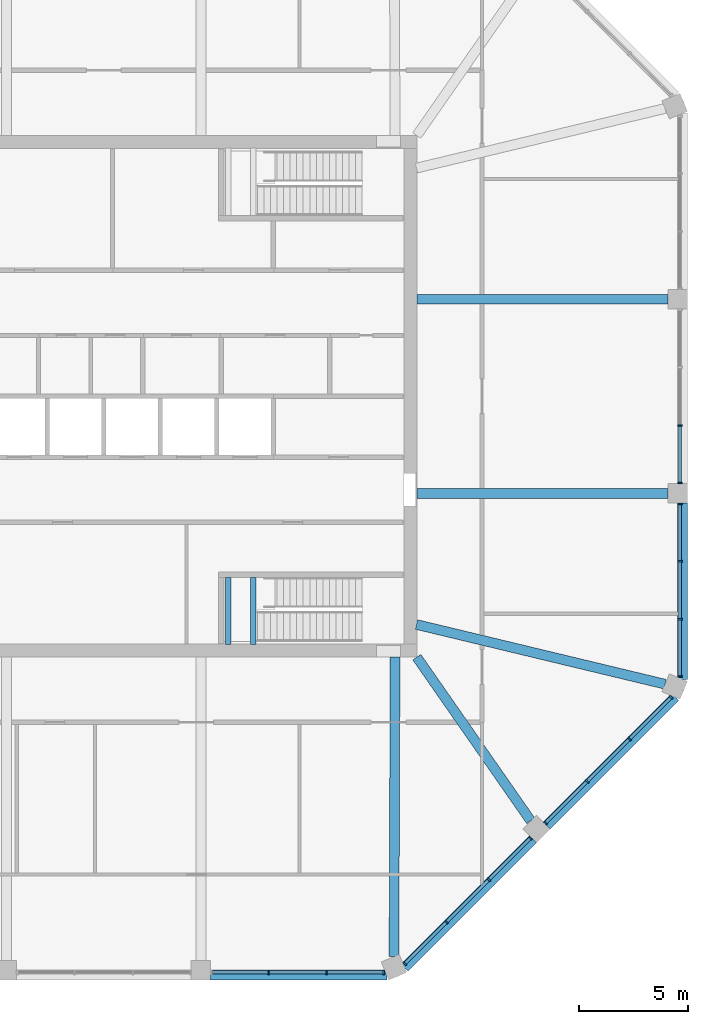
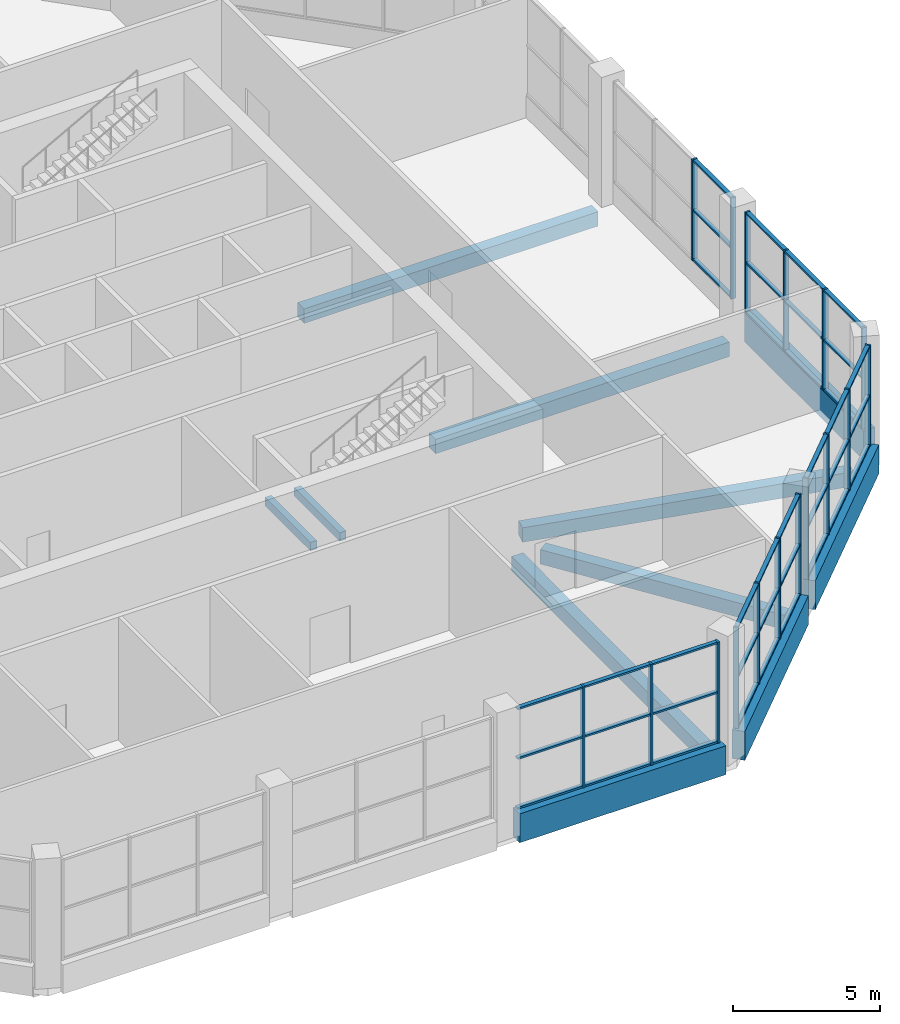
# One storey, part 4 of 15: 56 members, 11 beams, 5 elements without a shape of their own.
"""IFC4 building model written with IfcOpenShell, lengths in metres."""

from ifc_helpers import new_model, si_unit, direction, frame, origin, origin_2d, place, context, subcontext, project, spatial, rectangle, extrude, material, material_profile, profile_set, type_object, element, aggregate, save


model = new_model("IFC4")

# Units and contexts
model_context = context("Model", 3, precision=1e-05, world=origin(), true_north=direction((0.0, 1.0)))
body_context = subcontext(model_context, "Body", "Model", "MODEL_VIEW")
ifc_project = project(units=[si_unit("LENGTHUNIT", "METRE"), si_unit("AREAUNIT", "SQUARE_METRE"), si_unit("VOLUMEUNIT", "CUBIC_METRE"), si_unit("PLANEANGLEUNIT", "RADIAN"), si_unit("MASSUNIT", "GRAM", prefix="KILO")], contexts=[model_context])

# Site, building, storey
site_placement = place(None, origin())
site = spatial("IfcSite", under=ifc_project, at=site_placement, CompositionType="ELEMENT")
building_placement = place(site_placement, origin())
building = spatial("IfcBuilding", under=site, at=building_placement, Name="Msitu Wima Residences", CompositionType="ELEMENT")
storey_placement = place(building_placement, frame((0.0, 0.0, 314.699951171875)))
storey = spatial("IfcBuildingStorey", under=building, at=storey_placement, Name="L73", CompositionType="ELEMENT", Elevation=314.699951171875)

# Beams
ifc_material_1 = material(Name="Concrete C50/60", Category="concrete")
ifc_material_profile_1 = material_profile(ifc_material_1, rectangle(XDim=0.449951171875, YDim=0.60009765625, at=origin_2d()), Name="RC 450x600")
ifc_profile_set_1 = profile_set([ifc_material_profile_1], Name="Concrete C50/60")
beam_type_1 = type_object("IfcBeamType", Name="Beam RC 450x600 Concrete C50/60", PredefinedType="BEAM", material=ifc_profile_set_1)
beam_1_placement = place(storey_placement, frame((25.819091796875, -13.242431640625, -0.599853515625), z_axis=(-0.972353359268, 0.233514335148, 0.0), x_axis=(-0.233514335148, -0.972353359268, 0.0)))
element("IfcBeam", 1, at=beam_1_placement, inside=storey, type_object=beam_type_1, Name="Beam L73 C-E0", PredefinedType="BEAM", context=body_context, shape_type="SweptSolid", body=[
    extrude(rectangle(XDim=0.449951171875, YDim=0.60009765625, at=origin_2d()), origin(), (0.0, 0.0, 1.0), 11.755615234375),
])
for number, where, z_axis, x_axis, name in (
    (2, (25.949951171875, -4.46875, -0.599853515625), (-1.0, 0.0, 0.0), (0.0, -1.0, 0.0), "Beam L73 C-E1"),
    (3, (25.949951171875, 4.46875, -0.599853515625), (-1.0, 0.0, 0.0), (0.0, -1.0, 0.0), "Beam L73 C-E2"),
):
    element("IfcBeam", number, at=place(storey_placement, frame(where, z_axis=z_axis, x_axis=x_axis)), inside=storey, type_object=beam_type_1, Name=name, PredefinedType="BEAM", context=body_context, shape_type="SweptSolid", body=[
        extrude(rectangle(XDim=0.449951171875, YDim=0.60009765625, at=origin_2d()), origin(), (0.0, 0.0, 1.0), 11.550048828125),
    ])
beam_2_placement = place(storey_placement, frame((13.3505859375, -25.774169921875, -0.599853515625), z_axis=(0.003594933206, 0.999993538207, 0.0), x_axis=(-0.999993538207, 0.003594933206, 0.0)))
element("IfcBeam", 4, at=beam_2_placement, inside=storey, type_object=beam_type_1, Name="Beam L73 C-SE0", PredefinedType="BEAM", context=body_context, shape_type="SweptSolid", body=[
    extrude(rectangle(XDim=0.449951171875, YDim=0.60009765625, at=origin_2d()), origin(), (0.0, 0.0, 1.0), 13.7861328125),
])
beam_3_placement = place(storey_placement, frame((19.6416015625, -19.52783203125, -0.599853515625), z_axis=(-0.571427822633, 0.820652328042, 0.0), x_axis=(-0.820652328042, -0.571427822633, 0.0)))
element("IfcBeam", 5, at=beam_3_placement, inside=storey, type_object=beam_type_1, Name="Beam L73 C-SE1", PredefinedType="BEAM", context=body_context, shape_type="SweptSolid", body=[
    extrude(rectangle(XDim=0.449951171875, YDim=0.60009765625, at=origin_2d()), origin(), (0.0, 0.0, 1.0), 9.173095703125),
])
ifc_material_2 = material(Name="Concrete C40/50", Category="concrete")
ifc_material_profile_2 = material_profile(ifc_material_2, rectangle(XDim=0.25, YDim=0.35009765625, at=origin_2d()), Name="RC 250x350")
ifc_profile_set_2 = profile_set([ifc_material_profile_2], Name="Concrete C40/50")
beam_type_2 = type_object("IfcBeamType", Name="Landing beam RC 250x350", PredefinedType="BEAM", material=ifc_profile_set_2)
for number, where, z_axis, x_axis, name in (
    (6, (6.875, -11.425048828125, 2.406982421875), (0.0, 1.0, 0.0), (-1.0, 0.0, 0.0), "Stair 4 landing beam"),
    (7, (5.72509765625, -11.425048828125, 2.406982421875), (0.0, 1.0, 0.0), (-1.0, 0.0, 0.0), "Stair 4 landing beam"),
):
    element("IfcBeam", number, at=place(storey_placement, frame(where, z_axis=z_axis, x_axis=x_axis)), inside=storey, type_object=beam_type_2, Name=name, PredefinedType="BEAM", context=body_context, shape_type="SweptSolid", body=[
        extrude(rectangle(XDim=0.25, YDim=0.35009765625, at=origin_2d()), origin(), (0.0, 0.0, 1.0), 3.10009765625),
    ])

# Curtain wall, members
ifc_material_3 = material(Name="Anodised aluminium, bronze finish, solar control laminated double glazing", Category="aluminium")
curtain_wall_type = type_object("IfcCurtainWallType", Name="Curtain wall CW3 top lounge wall", PredefinedType="NOTDEFINED", material=ifc_material_3)
curtain_wall_1_placement = place(storey_placement, origin())
curtain_wall_1 = element("IfcCurtainWall", 8, at=curtain_wall_1_placement, inside=storey, type_object=curtain_wall_type, Name="Curtain wall CW3 L73 E0", PredefinedType="NOTDEFINED")
ifc_material_4 = material(Name="Anodised aluminium, bronze finish", Category="aluminium")
ifc_material_profile_3 = material_profile(ifc_material_4, rectangle(XDim=0.199951171875, YDim=0.074951171875, at=origin_2d()), Name="Mullion 75x200")
ifc_profile_set_3 = profile_set([ifc_material_profile_3], Name="Anodised aluminium, bronze finish")
member_type_1 = type_object("IfcMemberType", Name="Mullion CW3 75x200", PredefinedType="MULLION", material=ifc_profile_set_3)
member_1_placement = place(storey_placement, frame((26.5, -12.88134765625, 0.900146484375), z_axis=(0.0, 0.0, 1.0), x_axis=(-1.0, 0.0, 0.0)))
member_1 = element("IfcMember", 9, at=member_1_placement, type_object=member_type_1, Name="CW3 mullion 1", PredefinedType="MULLION", context=body_context, shape_type="SweptSolid", body=[
    extrude(rectangle(XDim=0.199951171875, YDim=0.074951171875, at=origin_2d()), origin(), (0.0, 0.0, 1.0), 4.199951171875),
])
member_2_placement = place(storey_placement, frame((26.5, -10.252197265625, 0.900146484375), z_axis=(0.0, 0.0, 1.0), x_axis=(-1.0, 0.0, 0.0)))
member_2 = element("IfcMember", 10, at=member_2_placement, type_object=member_type_1, Name="CW3 mullion 2", PredefinedType="MULLION", context=body_context, shape_type="SweptSolid", body=[
    extrude(rectangle(XDim=0.199951171875, YDim=0.074951171875, at=origin_2d()), origin(), (0.0, 0.0, 1.0), 4.199951171875),
])
member_3_placement = place(storey_placement, frame((26.5, -7.58544921875, 0.900146484375), z_axis=(0.0, 0.0, 1.0), x_axis=(-1.0, 0.0, 0.0)))
member_3 = element("IfcMember", 11, at=member_3_placement, type_object=member_type_1, Name="CW3 mullion 3", PredefinedType="MULLION", context=body_context, shape_type="SweptSolid", body=[
    extrude(rectangle(XDim=0.199951171875, YDim=0.074951171875, at=origin_2d()), origin(), (0.0, 0.0, 1.0), 4.199951171875),
])
member_4_placement = place(storey_placement, frame((26.5, -4.9560546875, 0.900146484375), z_axis=(0.0, 0.0, 1.0), x_axis=(-1.0, 0.0, 0.0)))
member_4 = element("IfcMember", 12, at=member_4_placement, type_object=member_type_1, Name="CW3 mullion 4", PredefinedType="MULLION", context=body_context, shape_type="SweptSolid", body=[
    extrude(rectangle(XDim=0.199951171875, YDim=0.074951171875, at=origin_2d()), origin(), (0.0, 0.0, 1.0), 4.199951171875),
])

curtain_wall_2_placement = place(storey_placement, origin())
curtain_wall_2 = element("IfcCurtainWall", 13, at=curtain_wall_2_placement, inside=storey, type_object=curtain_wall_type, Name="Curtain wall CW3 L73 E1", PredefinedType="NOTDEFINED")
member_5_placement = place(storey_placement, frame((26.5, -3.981201171875, 0.900146484375), z_axis=(0.0, 0.0, 1.0), x_axis=(-1.0, 0.0, 0.0)))
member_5 = element("IfcMember", 14, at=member_5_placement, type_object=member_type_1, Name="CW3 mullion 1", PredefinedType="MULLION", context=body_context, shape_type="SweptSolid", body=[
    extrude(rectangle(XDim=0.199951171875, YDim=0.074951171875, at=origin_2d()), origin(), (0.0, 0.0, 1.0), 4.199951171875),
])
member_6_placement = place(storey_placement, frame((26.5, -1.339599609375, 0.900146484375), z_axis=(0.0, 0.0, 1.0), x_axis=(-1.0, 0.0, 0.0)))
member_6 = element("IfcMember", 15, at=member_6_placement, type_object=member_type_1, Name="CW3 mullion 2", PredefinedType="MULLION", context=body_context, shape_type="SweptSolid", body=[
    extrude(rectangle(XDim=0.199951171875, YDim=0.074951171875, at=origin_2d()), origin(), (0.0, 0.0, 1.0), 4.199951171875),
])

curtain_wall_3_placement = place(storey_placement, origin())
curtain_wall_3 = element("IfcCurtainWall", 16, at=curtain_wall_3_placement, inside=storey, type_object=curtain_wall_type, Name="Curtain wall CW3 L73 S2", PredefinedType="NOTDEFINED")
member_7_placement = place(storey_placement, frame((7.58544921875, -26.5, 0.900146484375), z_axis=(0.0, 0.0, 1.0), x_axis=(0.0, 1.0, 0.0)))
member_7 = element("IfcMember", 17, at=member_7_placement, type_object=member_type_1, Name="CW3 mullion 2", PredefinedType="MULLION", context=body_context, shape_type="SweptSolid", body=[
    extrude(rectangle(XDim=0.199951171875, YDim=0.074951171875, at=origin_2d()), origin(), (0.0, 0.0, 1.0), 4.199951171875),
])
member_8_placement = place(storey_placement, frame((10.252197265625, -26.5, 0.900146484375), z_axis=(0.0, 0.0, 1.0), x_axis=(0.0, 1.0, 0.0)))
member_8 = element("IfcMember", 18, at=member_8_placement, type_object=member_type_1, Name="CW3 mullion 3", PredefinedType="MULLION", context=body_context, shape_type="SweptSolid", body=[
    extrude(rectangle(XDim=0.199951171875, YDim=0.074951171875, at=origin_2d()), origin(), (0.0, 0.0, 1.0), 4.199951171875),
])
member_9_placement = place(storey_placement, frame((12.88134765625, -26.5, 0.900146484375), z_axis=(0.0, 0.0, 1.0), x_axis=(0.0, 1.0, 0.0)))
member_9 = element("IfcMember", 19, at=member_9_placement, type_object=member_type_1, Name="CW3 mullion 4", PredefinedType="MULLION", context=body_context, shape_type="SweptSolid", body=[
    extrude(rectangle(XDim=0.199951171875, YDim=0.074951171875, at=origin_2d()), origin(), (0.0, 0.0, 1.0), 4.199951171875),
])

curtain_wall_4_placement = place(storey_placement, origin())
curtain_wall_4 = element("IfcCurtainWall", 20, at=curtain_wall_4_placement, inside=storey, type_object=curtain_wall_type, Name="Curtain wall CW3 L73 SE0", PredefinedType="NOTDEFINED")
member_10_placement = place(storey_placement, frame((13.847412109375, -26.099853515625, 0.900146484375), z_axis=(0.0, 0.0, 1.0), x_axis=(-0.707106781187, 0.707106781187, 0.0)))
member_10 = element("IfcMember", 21, at=member_10_placement, type_object=member_type_1, Name="CW3 mullion 1", PredefinedType="MULLION", context=body_context, shape_type="SweptSolid", body=[
    extrude(rectangle(XDim=0.199951171875, YDim=0.074951171875, at=origin_2d()), origin(), (0.0, 0.0, 1.0), 4.199951171875),
])
member_11_placement = place(storey_placement, frame((15.765869140625, -24.181396484375, 0.900146484375), z_axis=(0.0, 0.0, 1.0), x_axis=(-0.707106781187, 0.707106781187, 0.0)))
member_11 = element("IfcMember", 22, at=member_11_placement, type_object=member_type_1, Name="CW3 mullion 2", PredefinedType="MULLION", context=body_context, shape_type="SweptSolid", body=[
    extrude(rectangle(XDim=0.199951171875, YDim=0.074951171875, at=origin_2d()), origin(), (0.0, 0.0, 1.0), 4.199951171875),
])
member_12_placement = place(storey_placement, frame((17.710693359375, -22.236572265625, 0.900146484375), z_axis=(0.0, 0.0, 1.0), x_axis=(-0.707106781187, 0.707106781187, 0.0)))
member_12 = element("IfcMember", 23, at=member_12_placement, type_object=member_type_1, Name="CW3 mullion 3", PredefinedType="MULLION", context=body_context, shape_type="SweptSolid", body=[
    extrude(rectangle(XDim=0.199951171875, YDim=0.074951171875, at=origin_2d()), origin(), (0.0, 0.0, 1.0), 4.199951171875),
])
member_13_placement = place(storey_placement, frame((19.62890625, -20.318359375, 0.900146484375), z_axis=(0.0, 0.0, 1.0), x_axis=(-0.707106781187, 0.707106781187, 0.0)))
member_13 = element("IfcMember", 24, at=member_13_placement, type_object=member_type_1, Name="CW3 mullion 4", PredefinedType="MULLION", context=body_context, shape_type="SweptSolid", body=[
    extrude(rectangle(XDim=0.199951171875, YDim=0.074951171875, at=origin_2d()), origin(), (0.0, 0.0, 1.0), 4.199951171875),
])

curtain_wall_5_placement = place(storey_placement, origin())
curtain_wall_5 = element("IfcCurtainWall", 25, at=curtain_wall_5_placement, inside=storey, type_object=curtain_wall_type, Name="Curtain wall CW3 L73 SE1", PredefinedType="NOTDEFINED")
member_14_placement = place(storey_placement, frame((20.318359375, -19.62890625, 0.900146484375), z_axis=(0.0, 0.0, 1.0), x_axis=(-0.707106841783, 0.707106720591, 0.0)))
member_14 = element("IfcMember", 26, at=member_14_placement, type_object=member_type_1, Name="CW3 mullion 1", PredefinedType="MULLION", context=body_context, shape_type="SweptSolid", body=[
    extrude(rectangle(XDim=0.199951171875, YDim=0.074951171875, at=origin_2d()), origin(), (0.0, 0.0, 1.0), 4.199951171875),
])
member_15_placement = place(storey_placement, frame((22.236572265625, -17.710693359375, 0.900146484375), z_axis=(0.0, 0.0, 1.0), x_axis=(-0.707106841783, 0.707106720591, 0.0)))
member_15 = element("IfcMember", 27, at=member_15_placement, type_object=member_type_1, Name="CW3 mullion 2", PredefinedType="MULLION", context=body_context, shape_type="SweptSolid", body=[
    extrude(rectangle(XDim=0.199951171875, YDim=0.074951171875, at=origin_2d()), origin(), (0.0, 0.0, 1.0), 4.199951171875),
])
member_16_placement = place(storey_placement, frame((24.181396484375, -15.765869140625, 0.900146484375), z_axis=(0.0, 0.0, 1.0), x_axis=(-0.707106841783, 0.707106720591, 0.0)))
member_16 = element("IfcMember", 28, at=member_16_placement, type_object=member_type_1, Name="CW3 mullion 3", PredefinedType="MULLION", context=body_context, shape_type="SweptSolid", body=[
    extrude(rectangle(XDim=0.199951171875, YDim=0.074951171875, at=origin_2d()), origin(), (0.0, 0.0, 1.0), 4.199951171875),
])
member_17_placement = place(storey_placement, frame((26.099853515625, -13.847412109375, 0.900146484375), z_axis=(0.0, 0.0, 1.0), x_axis=(-0.707106841783, 0.707106720591, 0.0)))
member_17 = element("IfcMember", 29, at=member_17_placement, type_object=member_type_1, Name="CW3 mullion 4", PredefinedType="MULLION", context=body_context, shape_type="SweptSolid", body=[
    extrude(rectangle(XDim=0.199951171875, YDim=0.074951171875, at=origin_2d()), origin(), (0.0, 0.0, 1.0), 4.199951171875),
])

# Beams
ifc_material_profile_4 = material_profile(ifc_material_1, rectangle(XDim=0.449951171875, YDim=1.199951171875, at=origin_2d()), Name="RC 450x1200")
ifc_profile_set_4 = profile_set([ifc_material_profile_4], Name="Concrete C50/60")
beam_type_3 = type_object("IfcBeamType", Name="Spandrel RC 450x1200 Concrete C50/60", PredefinedType="SPANDREL", material=ifc_profile_set_4)
for number, where, z_axis, x_axis, name in (
    (30, (26.625, -13.02392578125, 0.300048828125), (0.0, 1.0, 0.0), (-1.0, 0.0, 0.0), "Spandrel L73 E0"),
    (31, (4.918701171875, -26.625, 0.300048828125), (1.0, 0.0, 0.0), (0.0, 1.0, 0.0), "Spandrel L73 S2"),
):
    element("IfcBeam", number, at=place(storey_placement, frame(where, z_axis=z_axis, x_axis=x_axis)), inside=storey, type_object=beam_type_3, Name=name, PredefinedType="SPANDREL", context=body_context, shape_type="SweptSolid", body=[
        extrude(rectangle(XDim=0.449951171875, YDim=1.199951171875, at=origin_2d()), origin(), (0.0, 0.0, 1.0), 8.105224609375),
    ])
for number, where, z_axis, x_axis, name in (
    (32, (13.8349609375, -26.2890625, 0.300048828125), (0.707106781187, 0.707106781187, 0.0), (-0.707106781187, 0.707106781187, 0.0), "Spandrel L73 SE0"),
    (33, (20.380126953125, -19.743896484375, 0.300048828125), (0.707106781187, 0.707106781187, 0.0), (-0.707106781187, 0.707106781187, 0.0), "Spandrel L73 SE1"),
):
    element("IfcBeam", number, at=place(storey_placement, frame(where, z_axis=z_axis, x_axis=x_axis)), inside=storey, type_object=beam_type_3, Name=name, PredefinedType="SPANDREL", context=body_context, shape_type="SweptSolid", body=[
        extrude(rectangle(XDim=0.449951171875, YDim=1.199951171875, at=origin_2d()), origin(), (0.0, 0.0, 1.0), 8.3564453125),
    ])

# Member
ifc_material_profile_5 = material_profile(ifc_material_4, rectangle(XDim=0.159912109375, YDim=0.074951171875, at=origin_2d()), Name="Transom 75x160")
ifc_profile_set_5 = profile_set([ifc_material_profile_5], Name="Anodised aluminium, bronze finish")
member_type_2 = type_object("IfcMemberType", Name="Transom CW3 75x160", PredefinedType="USERDEFINED", material=ifc_profile_set_5)
member_18_placement = place(storey_placement, frame((26.5, -12.84375, 0.9375), z_axis=(0.0, 1.0, 0.0), x_axis=(-1.0, 0.0, 0.0)))
member_18 = element("IfcMember", 34, at=member_18_placement, type_object=member_type_2, Name="CW3 transom 1.1", ObjectType="TRANSOM", PredefinedType="USERDEFINED", context=body_context, shape_type="SweptSolid", body=[
    extrude(rectangle(XDim=0.159912109375, YDim=0.074951171875, at=origin_2d()), origin(), (0.0, 0.0, 1.0), 2.55419921875),
])

member_19_placement = place(storey_placement, frame((26.5, -12.84375, 3.0), z_axis=(0.0, 1.0, 0.0), x_axis=(-1.0, 0.0, 0.0)))
member_19 = element("IfcMember", 35, at=member_19_placement, type_object=member_type_2, Name="CW3 transom 1.2", ObjectType="TRANSOM", PredefinedType="USERDEFINED", context=body_context, shape_type="SweptSolid", body=[
    extrude(rectangle(XDim=0.159912109375, YDim=0.074951171875, at=origin_2d()), origin(), (0.0, 0.0, 1.0), 2.55419921875),
])

member_20_placement = place(storey_placement, frame((26.5, -12.84375, 5.0625), z_axis=(0.0, 1.0, 0.0), x_axis=(-1.0, 0.0, 0.0)))
member_20 = element("IfcMember", 36, at=member_20_placement, type_object=member_type_2, Name="CW3 transom 1.3", ObjectType="TRANSOM", PredefinedType="USERDEFINED", context=body_context, shape_type="SweptSolid", body=[
    extrude(rectangle(XDim=0.159912109375, YDim=0.074951171875, at=origin_2d()), origin(), (0.0, 0.0, 1.0), 2.55419921875),
])

member_21_placement = place(storey_placement, frame((26.5, -10.214599609375, 0.9375), z_axis=(0.0, 1.0, 0.0), x_axis=(-1.0, 0.0, 0.0)))
member_21 = element("IfcMember", 37, at=member_21_placement, type_object=member_type_2, Name="CW3 transom 2.1", ObjectType="TRANSOM", PredefinedType="USERDEFINED", context=body_context, shape_type="SweptSolid", body=[
    extrude(rectangle(XDim=0.159912109375, YDim=0.074951171875, at=origin_2d()), origin(), (0.0, 0.0, 1.0), 2.591796875),
])

member_22_placement = place(storey_placement, frame((26.5, -10.214599609375, 3.0), z_axis=(0.0, 1.0, 0.0), x_axis=(-1.0, 0.0, 0.0)))
member_22 = element("IfcMember", 38, at=member_22_placement, type_object=member_type_2, Name="CW3 transom 2.2", ObjectType="TRANSOM", PredefinedType="USERDEFINED", context=body_context, shape_type="SweptSolid", body=[
    extrude(rectangle(XDim=0.159912109375, YDim=0.074951171875, at=origin_2d()), origin(), (0.0, 0.0, 1.0), 2.591796875),
])

member_23_placement = place(storey_placement, frame((26.5, -10.214599609375, 5.0625), z_axis=(0.0, 1.0, 0.0), x_axis=(-1.0, 0.0, 0.0)))
member_23 = element("IfcMember", 39, at=member_23_placement, type_object=member_type_2, Name="CW3 transom 2.3", ObjectType="TRANSOM", PredefinedType="USERDEFINED", context=body_context, shape_type="SweptSolid", body=[
    extrude(rectangle(XDim=0.159912109375, YDim=0.074951171875, at=origin_2d()), origin(), (0.0, 0.0, 1.0), 2.591796875),
])

member_24_placement = place(storey_placement, frame((26.5, -7.5478515625, 0.9375), z_axis=(0.0, 1.0, 0.0), x_axis=(-1.0, 0.0, 0.0)))
member_24 = element("IfcMember", 40, at=member_24_placement, type_object=member_type_2, Name="CW3 transom 3.1", ObjectType="TRANSOM", PredefinedType="USERDEFINED", context=body_context, shape_type="SweptSolid", body=[
    extrude(rectangle(XDim=0.159912109375, YDim=0.074951171875, at=origin_2d()), origin(), (0.0, 0.0, 1.0), 2.55419921875),
])

member_25_placement = place(storey_placement, frame((26.5, -7.5478515625, 3.0), z_axis=(0.0, 1.0, 0.0), x_axis=(-1.0, 0.0, 0.0)))
member_25 = element("IfcMember", 41, at=member_25_placement, type_object=member_type_2, Name="CW3 transom 3.2", ObjectType="TRANSOM", PredefinedType="USERDEFINED", context=body_context, shape_type="SweptSolid", body=[
    extrude(rectangle(XDim=0.159912109375, YDim=0.074951171875, at=origin_2d()), origin(), (0.0, 0.0, 1.0), 2.55419921875),
])

member_26_placement = place(storey_placement, frame((26.5, -7.5478515625, 5.0625), z_axis=(0.0, 1.0, 0.0), x_axis=(-1.0, 0.0, 0.0)))
member_26 = element("IfcMember", 42, at=member_26_placement, type_object=member_type_2, Name="CW3 transom 3.3", ObjectType="TRANSOM", PredefinedType="USERDEFINED", context=body_context, shape_type="SweptSolid", body=[
    extrude(rectangle(XDim=0.159912109375, YDim=0.074951171875, at=origin_2d()), origin(), (0.0, 0.0, 1.0), 2.55419921875),
])

aggregate(curtain_wall_1, [member_1, member_2, member_3, member_4, member_18, member_19, member_20, member_21, member_22, member_23, member_24, member_25, member_26])

member_27_placement = place(storey_placement, frame((26.5, -3.943603515625, 0.9375), z_axis=(0.0, 1.0, 0.0), x_axis=(-1.0, 0.0, 0.0)))
member_27 = element("IfcMember", 43, at=member_27_placement, type_object=member_type_2, Name="CW3 transom 1.1", ObjectType="TRANSOM", PredefinedType="USERDEFINED", context=body_context, shape_type="SweptSolid", body=[
    extrude(rectangle(XDim=0.159912109375, YDim=0.074951171875, at=origin_2d()), origin(), (0.0, 0.0, 1.0), 2.566650390625),
])

member_28_placement = place(storey_placement, frame((26.5, -3.943603515625, 3.0), z_axis=(0.0, 1.0, 0.0), x_axis=(-1.0, 0.0, 0.0)))
member_28 = element("IfcMember", 44, at=member_28_placement, type_object=member_type_2, Name="CW3 transom 1.2", ObjectType="TRANSOM", PredefinedType="USERDEFINED", context=body_context, shape_type="SweptSolid", body=[
    extrude(rectangle(XDim=0.159912109375, YDim=0.074951171875, at=origin_2d()), origin(), (0.0, 0.0, 1.0), 2.566650390625),
])

member_29_placement = place(storey_placement, frame((26.5, -3.943603515625, 5.0625), z_axis=(0.0, 1.0, 0.0), x_axis=(-1.0, 0.0, 0.0)))
member_29 = element("IfcMember", 45, at=member_29_placement, type_object=member_type_2, Name="CW3 transom 1.3", ObjectType="TRANSOM", PredefinedType="USERDEFINED", context=body_context, shape_type="SweptSolid", body=[
    extrude(rectangle(XDim=0.159912109375, YDim=0.074951171875, at=origin_2d()), origin(), (0.0, 0.0, 1.0), 2.566650390625),
])

aggregate(curtain_wall_2, [member_5, member_6, member_27, member_28, member_29])

member_30_placement = place(storey_placement, frame((4.99365234375, -26.5, 0.9375), z_axis=(1.0, 0.0, 0.0), x_axis=(0.0, 1.0, 0.0)))
member_30 = element("IfcMember", 46, at=member_30_placement, type_object=member_type_2, Name="CW3 transom 1.1", ObjectType="TRANSOM", PredefinedType="USERDEFINED", context=body_context, shape_type="SweptSolid", body=[
    extrude(rectangle(XDim=0.159912109375, YDim=0.074951171875, at=origin_2d()), origin(), (0.0, 0.0, 1.0), 2.55419921875),
])

member_31_placement = place(storey_placement, frame((4.99365234375, -26.5, 3.0), z_axis=(1.0, 0.0, 0.0), x_axis=(0.0, 1.0, 0.0)))
member_31 = element("IfcMember", 47, at=member_31_placement, type_object=member_type_2, Name="CW3 transom 1.2", ObjectType="TRANSOM", PredefinedType="USERDEFINED", context=body_context, shape_type="SweptSolid", body=[
    extrude(rectangle(XDim=0.159912109375, YDim=0.074951171875, at=origin_2d()), origin(), (0.0, 0.0, 1.0), 2.55419921875),
])

member_32_placement = place(storey_placement, frame((4.99365234375, -26.5, 5.0625), z_axis=(1.0, 0.0, 0.0), x_axis=(0.0, 1.0, 0.0)))
member_32 = element("IfcMember", 48, at=member_32_placement, type_object=member_type_2, Name="CW3 transom 1.3", ObjectType="TRANSOM", PredefinedType="USERDEFINED", context=body_context, shape_type="SweptSolid", body=[
    extrude(rectangle(XDim=0.159912109375, YDim=0.074951171875, at=origin_2d()), origin(), (0.0, 0.0, 1.0), 2.55419921875),
])

member_33_placement = place(storey_placement, frame((7.622802734375, -26.5, 0.9375), z_axis=(1.0, 0.0, 0.0), x_axis=(0.0, 1.0, 0.0)))
member_33 = element("IfcMember", 49, at=member_33_placement, type_object=member_type_2, Name="CW3 transom 2.1", ObjectType="TRANSOM", PredefinedType="USERDEFINED", context=body_context, shape_type="SweptSolid", body=[
    extrude(rectangle(XDim=0.159912109375, YDim=0.074951171875, at=origin_2d()), origin(), (0.0, 0.0, 1.0), 2.591796875),
])

member_34_placement = place(storey_placement, frame((7.622802734375, -26.5, 3.0), z_axis=(1.0, 0.0, 0.0), x_axis=(0.0, 1.0, 0.0)))
member_34 = element("IfcMember", 50, at=member_34_placement, type_object=member_type_2, Name="CW3 transom 2.2", ObjectType="TRANSOM", PredefinedType="USERDEFINED", context=body_context, shape_type="SweptSolid", body=[
    extrude(rectangle(XDim=0.159912109375, YDim=0.074951171875, at=origin_2d()), origin(), (0.0, 0.0, 1.0), 2.591796875),
])

member_35_placement = place(storey_placement, frame((7.622802734375, -26.5, 5.0625), z_axis=(1.0, 0.0, 0.0), x_axis=(0.0, 1.0, 0.0)))
member_35 = element("IfcMember", 51, at=member_35_placement, type_object=member_type_2, Name="CW3 transom 2.3", ObjectType="TRANSOM", PredefinedType="USERDEFINED", context=body_context, shape_type="SweptSolid", body=[
    extrude(rectangle(XDim=0.159912109375, YDim=0.074951171875, at=origin_2d()), origin(), (0.0, 0.0, 1.0), 2.591796875),
])

member_36_placement = place(storey_placement, frame((10.28955078125, -26.5, 0.9375), z_axis=(1.0, 0.0, 0.0), x_axis=(0.0, 1.0, 0.0)))
member_36 = element("IfcMember", 52, at=member_36_placement, type_object=member_type_2, Name="CW3 transom 3.1", ObjectType="TRANSOM", PredefinedType="USERDEFINED", context=body_context, shape_type="SweptSolid", body=[
    extrude(rectangle(XDim=0.159912109375, YDim=0.074951171875, at=origin_2d()), origin(), (0.0, 0.0, 1.0), 2.55419921875),
])

member_37_placement = place(storey_placement, frame((10.28955078125, -26.5, 3.0), z_axis=(1.0, 0.0, 0.0), x_axis=(0.0, 1.0, 0.0)))
member_37 = element("IfcMember", 53, at=member_37_placement, type_object=member_type_2, Name="CW3 transom 3.2", ObjectType="TRANSOM", PredefinedType="USERDEFINED", context=body_context, shape_type="SweptSolid", body=[
    extrude(rectangle(XDim=0.159912109375, YDim=0.074951171875, at=origin_2d()), origin(), (0.0, 0.0, 1.0), 2.55419921875),
])

member_38_placement = place(storey_placement, frame((10.28955078125, -26.5, 5.0625), z_axis=(1.0, 0.0, 0.0), x_axis=(0.0, 1.0, 0.0)))
member_38 = element("IfcMember", 54, at=member_38_placement, type_object=member_type_2, Name="CW3 transom 3.3", ObjectType="TRANSOM", PredefinedType="USERDEFINED", context=body_context, shape_type="SweptSolid", body=[
    extrude(rectangle(XDim=0.159912109375, YDim=0.074951171875, at=origin_2d()), origin(), (0.0, 0.0, 1.0), 2.55419921875),
])

aggregate(curtain_wall_3, [member_7, member_8, member_9, member_30, member_31, member_32, member_33, member_34, member_35, member_36, member_37, member_38])

member_39_placement = place(storey_placement, frame((13.8740234375, -26.0732421875, 0.9375), z_axis=(0.707106781187, 0.707106781187, 0.0), x_axis=(-0.707106781187, 0.707106781187, 0.0)))
member_39 = element("IfcMember", 55, at=member_39_placement, type_object=member_type_2, Name="CW3 transom 1.1", ObjectType="TRANSOM", PredefinedType="USERDEFINED", context=body_context, shape_type="SweptSolid", body=[
    extrude(rectangle(XDim=0.159912109375, YDim=0.074951171875, at=origin_2d()), origin(), (0.0, 0.0, 1.0), 2.637939453125),
])

member_40_placement = place(storey_placement, frame((13.8740234375, -26.0732421875, 3.0), z_axis=(0.707106781187, 0.707106781187, 0.0), x_axis=(-0.707106781187, 0.707106781187, 0.0)))
member_40 = element("IfcMember", 56, at=member_40_placement, type_object=member_type_2, Name="CW3 transom 1.2", ObjectType="TRANSOM", PredefinedType="USERDEFINED", context=body_context, shape_type="SweptSolid", body=[
    extrude(rectangle(XDim=0.159912109375, YDim=0.074951171875, at=origin_2d()), origin(), (0.0, 0.0, 1.0), 2.637939453125),
])

member_41_placement = place(storey_placement, frame((13.8740234375, -26.0732421875, 5.0625), z_axis=(0.707106781187, 0.707106781187, 0.0), x_axis=(-0.707106781187, 0.707106781187, 0.0)))
member_41 = element("IfcMember", 57, at=member_41_placement, type_object=member_type_2, Name="CW3 transom 1.3", ObjectType="TRANSOM", PredefinedType="USERDEFINED", context=body_context, shape_type="SweptSolid", body=[
    extrude(rectangle(XDim=0.159912109375, YDim=0.074951171875, at=origin_2d()), origin(), (0.0, 0.0, 1.0), 2.637939453125),
])

member_42_placement = place(storey_placement, frame((15.792236328125, -24.155029296875, 0.9375), z_axis=(0.707106781187, 0.707106781187, 0.0), x_axis=(-0.707106781187, 0.707106781187, 0.0)))
member_42 = element("IfcMember", 58, at=member_42_placement, type_object=member_type_2, Name="CW3 transom 2.1", ObjectType="TRANSOM", PredefinedType="USERDEFINED", context=body_context, shape_type="SweptSolid", body=[
    extrude(rectangle(XDim=0.159912109375, YDim=0.074951171875, at=origin_2d()), origin(), (0.0, 0.0, 1.0), 2.675537109375),
])

member_43_placement = place(storey_placement, frame((15.792236328125, -24.155029296875, 3.0), z_axis=(0.707106781187, 0.707106781187, 0.0), x_axis=(-0.707106781187, 0.707106781187, 0.0)))
member_43 = element("IfcMember", 59, at=member_43_placement, type_object=member_type_2, Name="CW3 transom 2.2", ObjectType="TRANSOM", PredefinedType="USERDEFINED", context=body_context, shape_type="SweptSolid", body=[
    extrude(rectangle(XDim=0.159912109375, YDim=0.074951171875, at=origin_2d()), origin(), (0.0, 0.0, 1.0), 2.675537109375),
])

member_44_placement = place(storey_placement, frame((15.792236328125, -24.155029296875, 5.0625), z_axis=(0.707106781187, 0.707106781187, 0.0), x_axis=(-0.707106781187, 0.707106781187, 0.0)))
member_44 = element("IfcMember", 60, at=member_44_placement, type_object=member_type_2, Name="CW3 transom 2.3", ObjectType="TRANSOM", PredefinedType="USERDEFINED", context=body_context, shape_type="SweptSolid", body=[
    extrude(rectangle(XDim=0.159912109375, YDim=0.074951171875, at=origin_2d()), origin(), (0.0, 0.0, 1.0), 2.675537109375),
])

member_45_placement = place(storey_placement, frame((17.737060546875, -22.210205078125, 0.9375), z_axis=(0.707153053266, 0.707060506079, 0.0), x_axis=(-0.707060506079, 0.707153053266, 0.0)))
member_45 = element("IfcMember", 61, at=member_45_placement, type_object=member_type_2, Name="CW3 transom 3.1", ObjectType="TRANSOM", PredefinedType="USERDEFINED", context=body_context, shape_type="SweptSolid", body=[
    extrude(rectangle(XDim=0.159912109375, YDim=0.074951171875, at=origin_2d()), origin(), (0.0, 0.0, 1.0), 2.637939453125),
])

member_46_placement = place(storey_placement, frame((17.737060546875, -22.210205078125, 3.0), z_axis=(0.707153053266, 0.707060506079, 0.0), x_axis=(-0.707060506079, 0.707153053266, 0.0)))
member_46 = element("IfcMember", 62, at=member_46_placement, type_object=member_type_2, Name="CW3 transom 3.2", ObjectType="TRANSOM", PredefinedType="USERDEFINED", context=body_context, shape_type="SweptSolid", body=[
    extrude(rectangle(XDim=0.159912109375, YDim=0.074951171875, at=origin_2d()), origin(), (0.0, 0.0, 1.0), 2.637939453125),
])

member_47_placement = place(storey_placement, frame((17.737060546875, -22.210205078125, 5.0625), z_axis=(0.707153053266, 0.707060506079, 0.0), x_axis=(-0.707060506079, 0.707153053266, 0.0)))
member_47 = element("IfcMember", 63, at=member_47_placement, type_object=member_type_2, Name="CW3 transom 3.3", ObjectType="TRANSOM", PredefinedType="USERDEFINED", context=body_context, shape_type="SweptSolid", body=[
    extrude(rectangle(XDim=0.159912109375, YDim=0.074951171875, at=origin_2d()), origin(), (0.0, 0.0, 1.0), 2.637939453125),
])

aggregate(curtain_wall_4, [member_10, member_11, member_12, member_13, member_39, member_40, member_41, member_42, member_43, member_44, member_45, member_46, member_47])

member_48_placement = place(storey_placement, frame((20.344970703125, -19.6025390625, 0.9375), z_axis=(0.707060506079, 0.707153053266, 0.0), x_axis=(-0.707153053266, 0.707060506079, 0.0)))
member_48 = element("IfcMember", 64, at=member_48_placement, type_object=member_type_2, Name="CW3 transom 1.1", ObjectType="TRANSOM", PredefinedType="USERDEFINED", context=body_context, shape_type="SweptSolid", body=[
    extrude(rectangle(XDim=0.159912109375, YDim=0.074951171875, at=origin_2d()), origin(), (0.0, 0.0, 1.0), 2.637939453125),
])

member_49_placement = place(storey_placement, frame((20.344970703125, -19.6025390625, 3.0), z_axis=(0.707060506079, 0.707153053266, 0.0), x_axis=(-0.707153053266, 0.707060506079, 0.0)))
member_49 = element("IfcMember", 65, at=member_49_placement, type_object=member_type_2, Name="CW3 transom 1.2", ObjectType="TRANSOM", PredefinedType="USERDEFINED", context=body_context, shape_type="SweptSolid", body=[
    extrude(rectangle(XDim=0.159912109375, YDim=0.074951171875, at=origin_2d()), origin(), (0.0, 0.0, 1.0), 2.637939453125),
])

member_50_placement = place(storey_placement, frame((20.344970703125, -19.6025390625, 5.0625), z_axis=(0.707060506079, 0.707153053266, 0.0), x_axis=(-0.707153053266, 0.707060506079, 0.0)))
member_50 = element("IfcMember", 66, at=member_50_placement, type_object=member_type_2, Name="CW3 transom 1.3", ObjectType="TRANSOM", PredefinedType="USERDEFINED", context=body_context, shape_type="SweptSolid", body=[
    extrude(rectangle(XDim=0.159912109375, YDim=0.074951171875, at=origin_2d()), origin(), (0.0, 0.0, 1.0), 2.637939453125),
])

member_51_placement = place(storey_placement, frame((22.26318359375, -17.68408203125, 0.9375), z_axis=(0.707106781187, 0.707106781187, 0.0), x_axis=(-0.707106781187, 0.707106781187, 0.0)))
member_51 = element("IfcMember", 67, at=member_51_placement, type_object=member_type_2, Name="CW3 transom 2.1", ObjectType="TRANSOM", PredefinedType="USERDEFINED", context=body_context, shape_type="SweptSolid", body=[
    extrude(rectangle(XDim=0.159912109375, YDim=0.074951171875, at=origin_2d()), origin(), (0.0, 0.0, 1.0), 2.675537109375),
])

member_52_placement = place(storey_placement, frame((22.26318359375, -17.68408203125, 3.0), z_axis=(0.707106781187, 0.707106781187, 0.0), x_axis=(-0.707106781187, 0.707106781187, 0.0)))
member_52 = element("IfcMember", 68, at=member_52_placement, type_object=member_type_2, Name="CW3 transom 2.2", ObjectType="TRANSOM", PredefinedType="USERDEFINED", context=body_context, shape_type="SweptSolid", body=[
    extrude(rectangle(XDim=0.159912109375, YDim=0.074951171875, at=origin_2d()), origin(), (0.0, 0.0, 1.0), 2.675537109375),
])

member_53_placement = place(storey_placement, frame((22.26318359375, -17.68408203125, 5.0625), z_axis=(0.707106781187, 0.707106781187, 0.0), x_axis=(-0.707106781187, 0.707106781187, 0.0)))
member_53 = element("IfcMember", 69, at=member_53_placement, type_object=member_type_2, Name="CW3 transom 2.3", ObjectType="TRANSOM", PredefinedType="USERDEFINED", context=body_context, shape_type="SweptSolid", body=[
    extrude(rectangle(XDim=0.159912109375, YDim=0.074951171875, at=origin_2d()), origin(), (0.0, 0.0, 1.0), 2.675537109375),
])

member_54_placement = place(storey_placement, frame((24.2080078125, -15.7392578125, 0.9375), z_axis=(0.707106781187, 0.707106781187, 0.0), x_axis=(-0.707106781187, 0.707106781187, 0.0)))
member_54 = element("IfcMember", 70, at=member_54_placement, type_object=member_type_2, Name="CW3 transom 3.1", ObjectType="TRANSOM", PredefinedType="USERDEFINED", context=body_context, shape_type="SweptSolid", body=[
    extrude(rectangle(XDim=0.159912109375, YDim=0.074951171875, at=origin_2d()), origin(), (0.0, 0.0, 1.0), 2.637939453125),
])

member_55_placement = place(storey_placement, frame((24.2080078125, -15.7392578125, 3.0), z_axis=(0.707106781187, 0.707106781187, 0.0), x_axis=(-0.707106781187, 0.707106781187, 0.0)))
member_55 = element("IfcMember", 71, at=member_55_placement, type_object=member_type_2, Name="CW3 transom 3.2", ObjectType="TRANSOM", PredefinedType="USERDEFINED", context=body_context, shape_type="SweptSolid", body=[
    extrude(rectangle(XDim=0.159912109375, YDim=0.074951171875, at=origin_2d()), origin(), (0.0, 0.0, 1.0), 2.637939453125),
])

member_56_placement = place(storey_placement, frame((24.2080078125, -15.7392578125, 5.0625), z_axis=(0.707106781187, 0.707106781187, 0.0), x_axis=(-0.707106781187, 0.707106781187, 0.0)))
member_56 = element("IfcMember", 72, at=member_56_placement, type_object=member_type_2, Name="CW3 transom 3.3", ObjectType="TRANSOM", PredefinedType="USERDEFINED", context=body_context, shape_type="SweptSolid", body=[
    extrude(rectangle(XDim=0.159912109375, YDim=0.074951171875, at=origin_2d()), origin(), (0.0, 0.0, 1.0), 2.637939453125),
])

aggregate(curtain_wall_5, [member_14, member_15, member_16, member_17, member_48, member_49, member_50, member_51, member_52, member_53, member_54, member_55, member_56])

save(model, "model.ifc")
